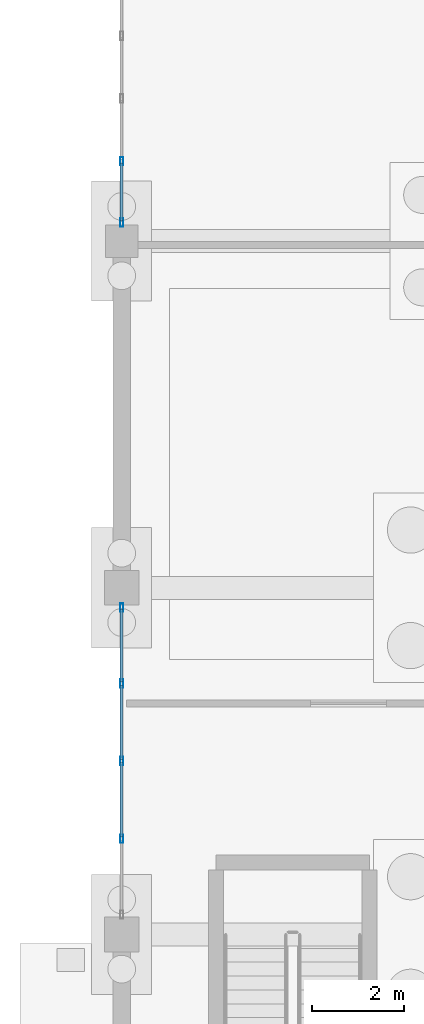
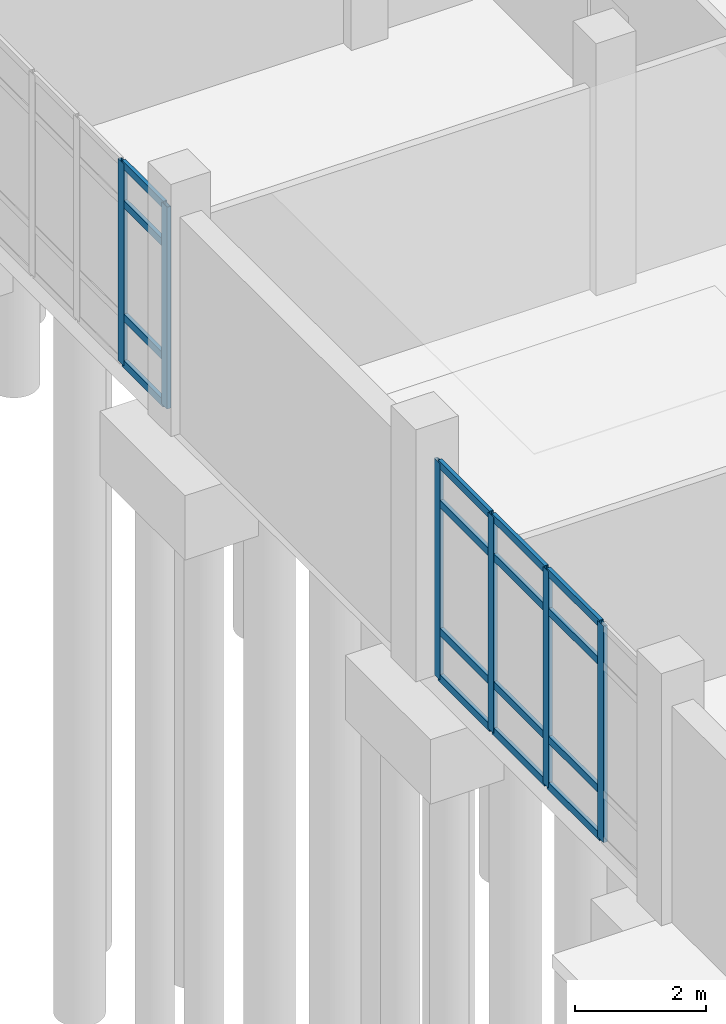
# One storey, part 37 of 173: 22 members, 2 elements without a shape of their own.
"""IFC4 building model written with IfcOpenShell, lengths in metres."""

from ifc_helpers import new_model, si_unit, direction, frame, origin, origin_2d, place, context, subcontext, project, spatial, hollow_rectangle, extrude, material, layer, layer_set, material_profile, profile_set, type_object, element, aggregate, save


model = new_model("IFC4")

# Units and contexts
model_context = context("Model", 3, precision=1e-05, world=origin(), true_north=direction((0.0, 1.0)))
body_context = subcontext(model_context, "Body", "Model", "MODEL_VIEW")
ifc_project = project(units=[si_unit("LENGTHUNIT", "METRE"), si_unit("AREAUNIT", "SQUARE_METRE"), si_unit("VOLUMEUNIT", "CUBIC_METRE"), si_unit("PLANEANGLEUNIT", "RADIAN"), si_unit("MASSUNIT", "GRAM", prefix="KILO")], contexts=[model_context])

# Site, building, storey
site_placement = place(None, origin())
site = spatial("IfcSite", under=ifc_project, at=site_placement, CompositionType="ELEMENT")
building_placement = place(site_placement, origin())
building = spatial("IfcBuilding", under=site, at=building_placement, Name="Mawjan Specialist Oncology Clinic", CompositionType="ELEMENT")
storey_placement = place(building_placement, origin())
storey = spatial("IfcBuildingStorey", under=building, at=storey_placement, Name="L00", CompositionType="ELEMENT", Elevation=0.0)

# Curtain wall, members
ifc_material_1 = material(Name="Unitised spectrally selective aluminium curtain wall", Category="aluminium")
ifc_layer_1 = layer(ifc_material_1, 0.179931640625, Name="Unitised spectrally selective aluminium curtain wall", Category="aluminium")
ifc_layer_set_1 = layer_set([ifc_layer_1], Name="Unitised spectrally selective aluminium curtain wall")
curtain_wall_type_1 = type_object("IfcCurtainWallType", Name="CW-02", PredefinedType="NOTDEFINED", material=ifc_layer_set_1)
curtain_wall_1_placement = place(storey_placement, origin())
curtain_wall_1 = element("IfcCurtainWall", 1, at=curtain_wall_1_placement, inside=storey, type_object=curtain_wall_type_1, Name="L00 Unitised Curtain Wall CW-L00-004", PredefinedType="NOTDEFINED")
ifc_material_2 = material(Name="Thermally broken aluminium 6063-T6", Category="aluminium")
ifc_material_profile_1 = material_profile(ifc_material_2, hollow_rectangle(XDim=0.06494140625, YDim=0.179931640625, WallThickness=0.00390625, at=origin_2d()), Name="ALU MULLION 180x65x4", Category="aluminium")
ifc_profile_set_1 = profile_set([ifc_material_profile_1], Name="Thermally broken aluminium 6063-T6")
member_type_1 = type_object("IfcMemberType", Name="CW-M180", PredefinedType="MULLION", material=ifc_profile_set_1)
member_1_placement = place(storey_placement, frame((0.0, 32.87255859375, 0.0), z_axis=(0.0, 0.0, 1.0), x_axis=(-1.0, 0.0, 0.0)))
member_1 = element("IfcMember", 2, at=member_1_placement, type_object=member_type_1, Name="CW-02 mullion 2", PredefinedType="MULLION", context=body_context, shape_type="SweptSolid", body=[
    extrude(hollow_rectangle(XDim=0.06494140625, YDim=0.179931640625, WallThickness=0.00390625, at=origin_2d()), origin(), (0.0, 0.0, 1.0), 4.034912109375),
])
member_2_placement = place(storey_placement, frame((0.0, 34.550048828125, 0.0), z_axis=(0.0, 0.0, 1.0), x_axis=(-1.0, 0.0, 0.0)))
member_2 = element("IfcMember", 3, at=member_2_placement, type_object=member_type_1, Name="CW-02 mullion 3", PredefinedType="MULLION", context=body_context, shape_type="SweptSolid", body=[
    extrude(hollow_rectangle(XDim=0.06494140625, YDim=0.179931640625, WallThickness=0.00390625, at=origin_2d()), origin(), (0.0, 0.0, 1.0), 4.034912109375),
])
member_3_placement = place(storey_placement, frame((0.0, 36.2275390625, 0.0), z_axis=(0.0, 0.0, 1.0), x_axis=(-1.0, 0.0, 0.0)))
member_3 = element("IfcMember", 4, at=member_3_placement, type_object=member_type_1, Name="CW-02 mullion 4", PredefinedType="MULLION", context=body_context, shape_type="SweptSolid", body=[
    extrude(hollow_rectangle(XDim=0.06494140625, YDim=0.179931640625, WallThickness=0.00390625, at=origin_2d()), origin(), (0.0, 0.0, 1.0), 4.034912109375),
])
member_4_placement = place(storey_placement, frame((0.0, 37.87255859375, 0.0), z_axis=(0.0, 0.0, 1.0), x_axis=(-1.0, 0.0, 0.0)))
member_4 = element("IfcMember", 5, at=member_4_placement, type_object=member_type_1, Name="CW-02 mullion 5", PredefinedType="MULLION", context=body_context, shape_type="SweptSolid", body=[
    extrude(hollow_rectangle(XDim=0.06494140625, YDim=0.179931640625, WallThickness=0.00390625, at=origin_2d()), origin(), (0.0, 0.0, 1.0), 4.034912109375),
])

ifc_material_3 = material(Name="Unitised spectrally selective aluminium curtain wall", Category="aluminium")
ifc_layer_2 = layer(ifc_material_3, 0.179931640625, Name="Unitised spectrally selective aluminium curtain wall", Category="aluminium")
ifc_layer_set_2 = layer_set([ifc_layer_2], Name="Unitised spectrally selective aluminium curtain wall")
curtain_wall_type_2 = type_object("IfcCurtainWallType", Name="CW-03", PredefinedType="NOTDEFINED", material=ifc_layer_set_2)
curtain_wall_2_placement = place(storey_placement, origin())
curtain_wall_2 = element("IfcCurtainWall", 6, at=curtain_wall_2_placement, inside=storey, type_object=curtain_wall_type_2, Name="L00 Unitised Curtain Wall CW-L00-005", PredefinedType="NOTDEFINED")
member_5_placement = place(storey_placement, frame((0.0, 46.202392578125, 0.0), z_axis=(0.0, 0.0, 1.0), x_axis=(-1.0, 0.0, 0.0)))
member_5 = element("IfcMember", 7, at=member_5_placement, type_object=member_type_1, Name="CW-03 mullion 1", PredefinedType="MULLION", context=body_context, shape_type="SweptSolid", body=[
    extrude(hollow_rectangle(XDim=0.06494140625, YDim=0.179931640625, WallThickness=0.00390625, at=origin_2d()), origin(), (0.0, 0.0, 1.0), 3.764892578125),
])
member_6_placement = place(storey_placement, frame((0.0, 47.527099609375, 0.0), z_axis=(0.0, 0.0, 1.0), x_axis=(-1.0, 0.0, 0.0)))
member_6 = element("IfcMember", 8, at=member_6_placement, type_object=member_type_1, Name="CW-03 mullion 2", PredefinedType="MULLION", context=body_context, shape_type="SweptSolid", body=[
    extrude(hollow_rectangle(XDim=0.06494140625, YDim=0.179931640625, WallThickness=0.00390625, at=origin_2d()), origin(), (0.0, 0.0, 1.0), 3.764892578125),
])

# Member
ifc_material_4 = material(Name="Thermally broken aluminium 6063-T6", Category="aluminium")
ifc_material_profile_2 = material_profile(ifc_material_4, hollow_rectangle(XDim=0.06494140625, YDim=0.139892578125, WallThickness=0.00390625, at=origin_2d()), Name="ALU TRANSOM 140x65x4", Category="aluminium")
ifc_profile_set_2 = profile_set([ifc_material_profile_2], Name="Thermally broken aluminium 6063-T6")
member_type_2 = type_object("IfcMemberType", Name="CW-T140", PredefinedType="USERDEFINED", material=ifc_profile_set_2)
member_7_placement = place(storey_placement, frame((0.0, 32.905029296875, 0.032470703125), z_axis=(0.0, 1.0, 0.0), x_axis=(-1.0, 0.0, 0.0)))
member_7 = element("IfcMember", 9, at=member_7_placement, type_object=member_type_2, Name="CW-02 transom 2.1", ObjectType="TRANSOM", PredefinedType="USERDEFINED", context=body_context, shape_type="SweptSolid", body=[
    extrude(hollow_rectangle(XDim=0.06494140625, YDim=0.139892578125, WallThickness=0.00390625, at=origin_2d()), origin(), (0.0, 0.0, 1.0), 1.612548828125),
])

member_8_placement = place(storey_placement, frame((0.0, 32.905029296875, 0.89990234375), z_axis=(0.0, 1.0, 0.0), x_axis=(-1.0, 0.0, 0.0)))
member_8 = element("IfcMember", 10, at=member_8_placement, type_object=member_type_2, Name="CW-02 transom 2.2", ObjectType="TRANSOM", PredefinedType="USERDEFINED", context=body_context, shape_type="SweptSolid", body=[
    extrude(hollow_rectangle(XDim=0.06494140625, YDim=0.139892578125, WallThickness=0.00390625, at=origin_2d()), origin(), (0.0, 0.0, 1.0), 1.612548828125),
])

member_9_placement = place(storey_placement, frame((0.0, 32.905029296875, 3.284912109375), z_axis=(0.0, 1.0, 0.0), x_axis=(-1.0, 0.0, 0.0)))
member_9 = element("IfcMember", 11, at=member_9_placement, type_object=member_type_2, Name="CW-02 transom 2.3", ObjectType="TRANSOM", PredefinedType="USERDEFINED", context=body_context, shape_type="SweptSolid", body=[
    extrude(hollow_rectangle(XDim=0.06494140625, YDim=0.139892578125, WallThickness=0.00390625, at=origin_2d()), origin(), (0.0, 0.0, 1.0), 1.612548828125),
])

member_10_placement = place(storey_placement, frame((0.0, 32.905029296875, 4.00244140625), z_axis=(0.0, 1.0, 0.0), x_axis=(-1.0, 0.0, 0.0)))
member_10 = element("IfcMember", 12, at=member_10_placement, type_object=member_type_2, Name="CW-02 transom 2.4", ObjectType="TRANSOM", PredefinedType="USERDEFINED", context=body_context, shape_type="SweptSolid", body=[
    extrude(hollow_rectangle(XDim=0.06494140625, YDim=0.139892578125, WallThickness=0.00390625, at=origin_2d()), origin(), (0.0, 0.0, 1.0), 1.612548828125),
])

member_11_placement = place(storey_placement, frame((0.0, 34.58251953125, 0.032470703125), z_axis=(0.0, 1.0, 0.0), x_axis=(-1.0, 0.0, 0.0)))
member_11 = element("IfcMember", 13, at=member_11_placement, type_object=member_type_2, Name="CW-02 transom 3.1", ObjectType="TRANSOM", PredefinedType="USERDEFINED", context=body_context, shape_type="SweptSolid", body=[
    extrude(hollow_rectangle(XDim=0.06494140625, YDim=0.139892578125, WallThickness=0.00390625, at=origin_2d()), origin(), (0.0, 0.0, 1.0), 1.612548828125),
])

member_12_placement = place(storey_placement, frame((0.0, 34.58251953125, 0.89990234375), z_axis=(0.0, 1.0, 0.0), x_axis=(-1.0, 0.0, 0.0)))
member_12 = element("IfcMember", 14, at=member_12_placement, type_object=member_type_2, Name="CW-02 transom 3.2", ObjectType="TRANSOM", PredefinedType="USERDEFINED", context=body_context, shape_type="SweptSolid", body=[
    extrude(hollow_rectangle(XDim=0.06494140625, YDim=0.139892578125, WallThickness=0.00390625, at=origin_2d()), origin(), (0.0, 0.0, 1.0), 1.612548828125),
])

member_13_placement = place(storey_placement, frame((0.0, 34.58251953125, 3.284912109375), z_axis=(0.0, 1.0, 0.0), x_axis=(-1.0, 0.0, 0.0)))
member_13 = element("IfcMember", 15, at=member_13_placement, type_object=member_type_2, Name="CW-02 transom 3.3", ObjectType="TRANSOM", PredefinedType="USERDEFINED", context=body_context, shape_type="SweptSolid", body=[
    extrude(hollow_rectangle(XDim=0.06494140625, YDim=0.139892578125, WallThickness=0.00390625, at=origin_2d()), origin(), (0.0, 0.0, 1.0), 1.612548828125),
])

member_14_placement = place(storey_placement, frame((0.0, 34.58251953125, 4.00244140625), z_axis=(0.0, 1.0, 0.0), x_axis=(-1.0, 0.0, 0.0)))
member_14 = element("IfcMember", 16, at=member_14_placement, type_object=member_type_2, Name="CW-02 transom 3.4", ObjectType="TRANSOM", PredefinedType="USERDEFINED", context=body_context, shape_type="SweptSolid", body=[
    extrude(hollow_rectangle(XDim=0.06494140625, YDim=0.139892578125, WallThickness=0.00390625, at=origin_2d()), origin(), (0.0, 0.0, 1.0), 1.612548828125),
])

member_15_placement = place(storey_placement, frame((0.0, 36.260009765625, 0.032470703125), z_axis=(0.0, 1.0, 0.0), x_axis=(-1.0, 0.0, 0.0)))
member_15 = element("IfcMember", 17, at=member_15_placement, type_object=member_type_2, Name="CW-02 transom 4.1", ObjectType="TRANSOM", PredefinedType="USERDEFINED", context=body_context, shape_type="SweptSolid", body=[
    extrude(hollow_rectangle(XDim=0.06494140625, YDim=0.139892578125, WallThickness=0.00390625, at=origin_2d()), origin(), (0.0, 0.0, 1.0), 1.580078125),
])

member_16_placement = place(storey_placement, frame((0.0, 36.260009765625, 0.89990234375), z_axis=(0.0, 1.0, 0.0), x_axis=(-1.0, 0.0, 0.0)))
member_16 = element("IfcMember", 18, at=member_16_placement, type_object=member_type_2, Name="CW-02 transom 4.2", ObjectType="TRANSOM", PredefinedType="USERDEFINED", context=body_context, shape_type="SweptSolid", body=[
    extrude(hollow_rectangle(XDim=0.06494140625, YDim=0.139892578125, WallThickness=0.00390625, at=origin_2d()), origin(), (0.0, 0.0, 1.0), 1.580078125),
])

member_17_placement = place(storey_placement, frame((0.0, 36.260009765625, 3.284912109375), z_axis=(0.0, 1.0, 0.0), x_axis=(-1.0, 0.0, 0.0)))
member_17 = element("IfcMember", 19, at=member_17_placement, type_object=member_type_2, Name="CW-02 transom 4.3", ObjectType="TRANSOM", PredefinedType="USERDEFINED", context=body_context, shape_type="SweptSolid", body=[
    extrude(hollow_rectangle(XDim=0.06494140625, YDim=0.139892578125, WallThickness=0.00390625, at=origin_2d()), origin(), (0.0, 0.0, 1.0), 1.580078125),
])

member_18_placement = place(storey_placement, frame((0.0, 36.260009765625, 4.00244140625), z_axis=(0.0, 1.0, 0.0), x_axis=(-1.0, 0.0, 0.0)))
member_18 = element("IfcMember", 20, at=member_18_placement, type_object=member_type_2, Name="CW-02 transom 4.4", ObjectType="TRANSOM", PredefinedType="USERDEFINED", context=body_context, shape_type="SweptSolid", body=[
    extrude(hollow_rectangle(XDim=0.06494140625, YDim=0.139892578125, WallThickness=0.00390625, at=origin_2d()), origin(), (0.0, 0.0, 1.0), 1.580078125),
])

aggregate(curtain_wall_1, [member_1, member_2, member_3, member_4, member_7, member_8, member_9, member_10, member_11, member_12, member_13, member_14, member_15, member_16, member_17, member_18])

member_19_placement = place(storey_placement, frame((0.0, 46.235107421875, 0.032470703125), z_axis=(0.0, 1.0, 0.0), x_axis=(-1.0, 0.0, 0.0)))
member_19 = element("IfcMember", 21, at=member_19_placement, type_object=member_type_2, Name="CW-03 transom 1.1", ObjectType="TRANSOM", PredefinedType="USERDEFINED", context=body_context, shape_type="SweptSolid", body=[
    extrude(hollow_rectangle(XDim=0.06494140625, YDim=0.139892578125, WallThickness=0.00390625, at=origin_2d()), origin(), (0.0, 0.0, 1.0), 1.25927734375),
])

member_20_placement = place(storey_placement, frame((0.0, 46.235107421875, 0.89990234375), z_axis=(0.0, 1.0, 0.0), x_axis=(-1.0, 0.0, 0.0)))
member_20 = element("IfcMember", 22, at=member_20_placement, type_object=member_type_2, Name="CW-03 transom 1.2", ObjectType="TRANSOM", PredefinedType="USERDEFINED", context=body_context, shape_type="SweptSolid", body=[
    extrude(hollow_rectangle(XDim=0.06494140625, YDim=0.139892578125, WallThickness=0.00390625, at=origin_2d()), origin(), (0.0, 0.0, 1.0), 1.25927734375),
])

member_21_placement = place(storey_placement, frame((0.0, 46.235107421875, 3.014892578125), z_axis=(0.0, 1.0, 0.0), x_axis=(-1.0, 0.0, 0.0)))
member_21 = element("IfcMember", 23, at=member_21_placement, type_object=member_type_2, Name="CW-03 transom 1.3", ObjectType="TRANSOM", PredefinedType="USERDEFINED", context=body_context, shape_type="SweptSolid", body=[
    extrude(hollow_rectangle(XDim=0.06494140625, YDim=0.139892578125, WallThickness=0.00390625, at=origin_2d()), origin(), (0.0, 0.0, 1.0), 1.25927734375),
])

member_22_placement = place(storey_placement, frame((0.0, 46.235107421875, 3.732421875), z_axis=(0.0, 1.0, 0.0), x_axis=(-1.0, 0.0, 0.0)))
member_22 = element("IfcMember", 24, at=member_22_placement, type_object=member_type_2, Name="CW-03 transom 1.4", ObjectType="TRANSOM", PredefinedType="USERDEFINED", context=body_context, shape_type="SweptSolid", body=[
    extrude(hollow_rectangle(XDim=0.06494140625, YDim=0.139892578125, WallThickness=0.00390625, at=origin_2d()), origin(), (0.0, 0.0, 1.0), 1.25927734375),
])

aggregate(curtain_wall_2, [member_5, member_6, member_19, member_20, member_21, member_22])

save(model, "model.ifc")
